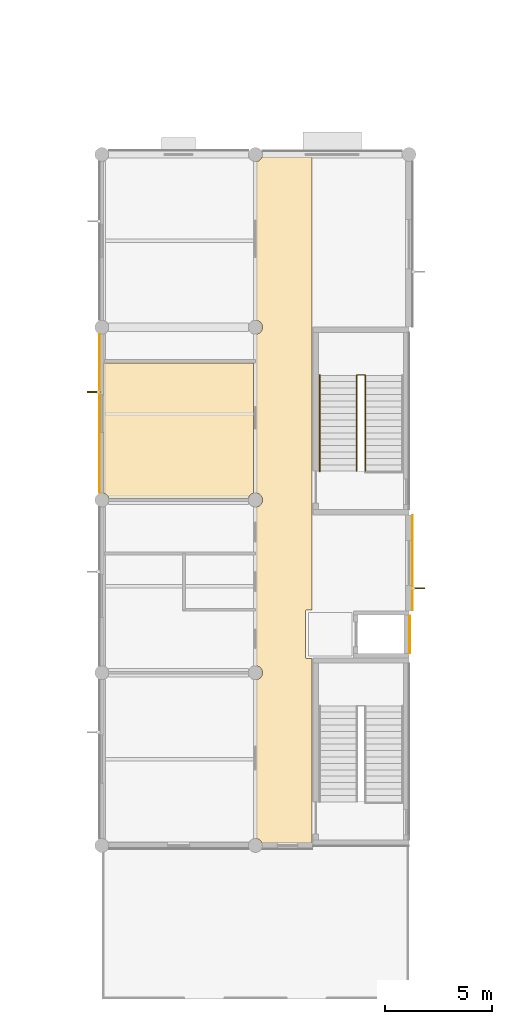
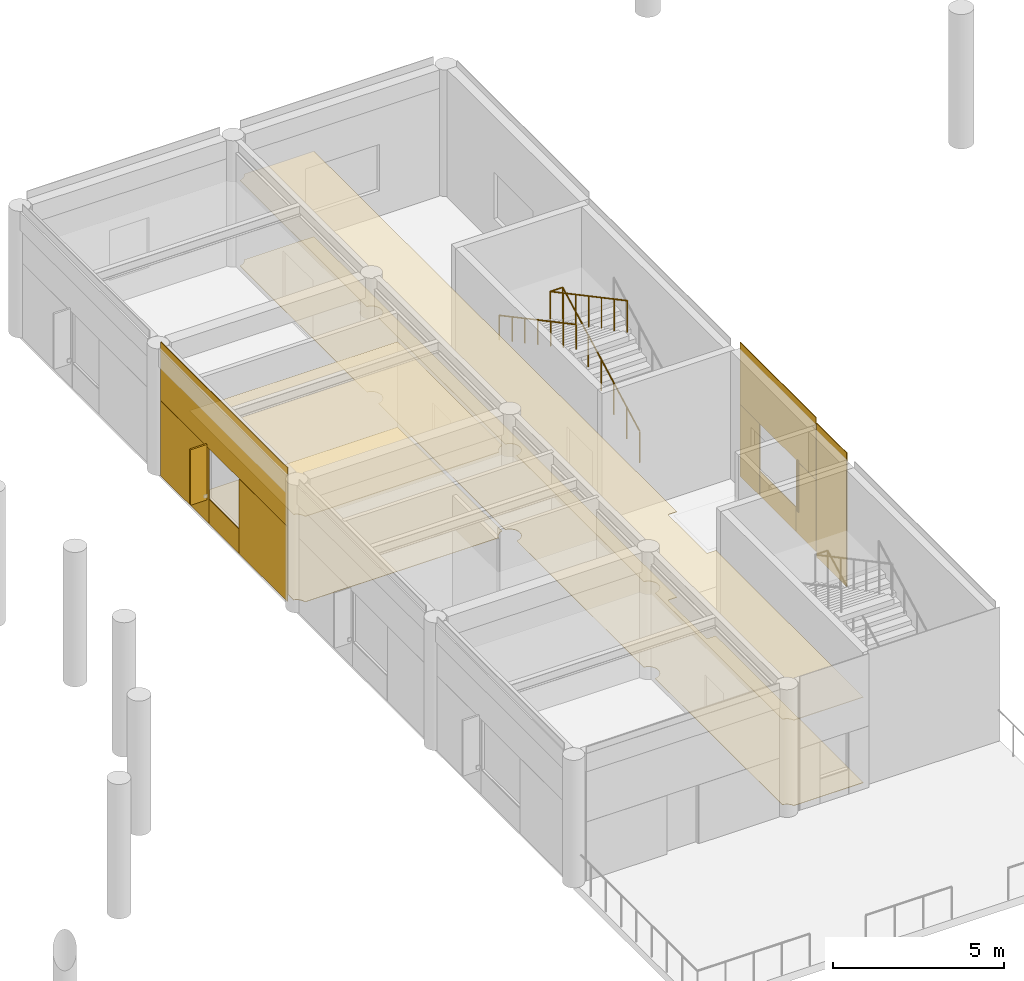
# One storey, part 90 of 92: 13 coverings, 2 railings, 2 shading devices.
"""IFC4 building model written with IfcOpenShell, lengths in metres."""

from ifc_helpers import new_model, si_unit, direction, frame, origin, origin_2d, place, context, subcontext, project, spatial, polyline, rectangle, circle, outline, extrude, material, layer, layer_set, type_object, element, save


model = new_model("IFC4")

# Units and contexts
model_context = context("Model", 3, precision=1e-05, world=origin(), true_north=direction((0.0, 1.0)))
body_context = subcontext(model_context, "Body", "Model", "MODEL_VIEW")
ifc_project = project(units=[si_unit("LENGTHUNIT", "METRE"), si_unit("AREAUNIT", "SQUARE_METRE"), si_unit("VOLUMEUNIT", "CUBIC_METRE"), si_unit("PLANEANGLEUNIT", "RADIAN"), si_unit("MASSUNIT", "GRAM", prefix="KILO")], contexts=[model_context])

# Site, building, storey
site_placement = place(None, origin())
site = spatial("IfcSite", under=ifc_project, at=site_placement, CompositionType="ELEMENT")
building_placement = place(site_placement, origin())
building = spatial("IfcBuilding", under=site, at=building_placement, Name="Namkhue Oval Health Centre", CompositionType="ELEMENT")
storey_placement = place(building_placement, frame((0.0, 0.0, 4.800048828125)))
storey = spatial("IfcBuildingStorey", under=building, at=storey_placement, Name="L01", CompositionType="ELEMENT", Elevation=4.800048828125)

# Coverings
ifc_material_1 = material(Name="Acoustic mineral-fibre cleanroom ceiling", Category="gypsum")
ifc_layer_1 = layer(ifc_material_1, 0.02001953125)
ifc_layer_set_1 = layer_set([ifc_layer_1], Name="Acoustic mineral-fibre cleanroom ceiling")
covering_type_1 = type_object("IfcCoveringType", Name="ACOUSTIC CLEANROOM CEILING 20", PredefinedType="CEILING", material=ifc_layer_set_1)
covering_1_placement = place(storey_placement, frame((0.0, 0.0, 3.050048828125)))
element("IfcCovering", 1, at=covering_1_placement, inside=storey, type_object=covering_type_1, Name="Acoustic Ceiling L01-V6-C1 V6 Clinical Corridor", PredefinedType="CEILING", context=body_context, shape_type="SweptSolid", body=[
    extrude(outline(polyline([(144.0400390625, 50.97021484375), (144.086669921875, 50.976318359375), (144.16748046875, 51.010009765625), (144.23681640625, 51.06298828125), (144.2900390625, 51.132568359375), (144.323486328125, 51.21337890625), (144.3349609375, 51.300048828125), (144.323486328125, 51.38671875), (144.2900390625, 51.467529296875), (144.23681640625, 51.536865234375), (144.16748046875, 51.590087890625), (144.086669921875, 51.62353515625), (144.0400390625, 51.629638671875), (144.0400390625, 59.0703125), (144.086669921875, 59.076416015625), (144.16748046875, 59.10986328125), (144.23681640625, 59.1630859375), (144.2900390625, 59.232421875), (144.323486328125, 59.313232421875), (144.3349609375, 59.39990234375), (144.323486328125, 59.48681640625), (144.2900390625, 59.5673828125), (144.23681640625, 59.636962890625), (144.16748046875, 59.690185546875), (144.086669921875, 59.7236328125), (144.0400390625, 59.729736328125), (144.0400390625, 67.17041015625), (144.086669921875, 67.176513671875), (144.16748046875, 67.2099609375), (144.23681640625, 67.26318359375), (144.2900390625, 67.33251953125), (144.323486328125, 67.413330078125), (144.3349609375, 67.5), (144.323486328125, 67.586669921875), (144.2900390625, 67.66748046875), (144.23681640625, 67.73681640625), (144.16748046875, 67.7900390625), (144.086669921875, 67.823486328125), (144.0400390625, 67.82958984375), (144.0400390625, 75.270263671875), (144.086669921875, 75.2763671875), (144.16748046875, 75.309814453125), (144.23681640625, 75.363037109375), (144.2900390625, 75.4326171875), (144.3076171875, 75.47509765625), (146.659912109375, 75.47509765625), (146.659912109375, 54.239990234375), (146.39599609375, 54.23974609375), (146.384765625, 54.237060546875), (146.37158203125, 54.228271484375), (146.363037109375, 54.21533203125), (146.360107421875, 54.199951171875), (146.360107421875, 51.99609375), (146.363037109375, 51.984619140625), (146.37158203125, 51.9716796875), (146.384765625, 51.962890625), (146.39599609375, 51.960205078125), (146.659912109375, 51.9599609375), (146.659912109375, 43.324951171875), (144.3076171875, 43.324951171875), (144.2900390625, 43.367431640625), (144.23681640625, 43.43701171875), (144.16748046875, 43.489990234375), (144.086669921875, 43.523681640625), (144.0400390625, 43.52978515625), (144.0400390625, 50.97021484375)])), origin(), (0.0, 0.0, 1.0), 0.02001953125),
])
covering_2_placement = place(storey_placement, frame((0.0, 0.0, 3.050048828125)))
element("IfcCovering", 2, at=covering_2_placement, inside=storey, type_object=covering_type_1, Name="Acoustic Ceiling L01-605 Speech Language Therapy Clinic", PredefinedType="CEILING", context=body_context, shape_type="SweptSolid", body=[
    extrude(outline(polyline([(137.125732421875, 59.469970703125), (137.12353515625, 59.48681640625), (137.090087890625, 59.5673828125), (137.036865234375, 59.636962890625), (136.967529296875, 59.690185546875), (136.885009765625, 59.723876953125), (136.885009765625, 65.833984375), (143.919921875, 65.833984375), (143.919921875, 59.724609375), (143.83251953125, 59.690185546875), (143.76318359375, 59.636962890625), (143.7099609375, 59.5673828125), (143.676513671875, 59.48681640625), (143.67431640625, 59.469970703125), (137.125732421875, 59.469970703125)])), origin(), (0.0, 0.0, 1.0), 0.02001953125),
])
ifc_material_2 = material(Name="Homogeneous anti-bacterial clinical vinyl flooring", Category="plastic")
ifc_layer_2 = layer(ifc_material_2, 0.014892578125)
ifc_layer_set_2 = layer_set([ifc_layer_2], Name="Homogeneous anti-bacterial clinical vinyl flooring")
covering_type_2 = type_object("IfcCoveringType", Name="CLINICAL ANTIBACTERIAL VINYL FLOORING 15", PredefinedType="FLOORING", material=ifc_layer_set_2)
covering_3_placement = place(storey_placement, origin())
element("IfcCovering", 3, at=covering_3_placement, inside=storey, type_object=covering_type_2, Name="Clinical Flooring L01-V6-C1 V6 Clinical Corridor", PredefinedType="FLOORING", context=body_context, shape_type="SweptSolid", body=[
    extrude(outline(polyline([(144.0400390625, 50.97021484375), (144.086669921875, 50.976318359375), (144.16748046875, 51.010009765625), (144.23681640625, 51.06298828125), (144.2900390625, 51.132568359375), (144.323486328125, 51.21337890625), (144.3349609375, 51.300048828125), (144.323486328125, 51.38671875), (144.2900390625, 51.467529296875), (144.23681640625, 51.536865234375), (144.16748046875, 51.590087890625), (144.086669921875, 51.62353515625), (144.0400390625, 51.629638671875), (144.0400390625, 59.0703125), (144.086669921875, 59.076416015625), (144.16748046875, 59.10986328125), (144.23681640625, 59.1630859375), (144.2900390625, 59.232421875), (144.323486328125, 59.313232421875), (144.3349609375, 59.39990234375), (144.323486328125, 59.48681640625), (144.2900390625, 59.5673828125), (144.23681640625, 59.636962890625), (144.16748046875, 59.690185546875), (144.086669921875, 59.7236328125), (144.0400390625, 59.729736328125), (144.0400390625, 67.17041015625), (144.086669921875, 67.176513671875), (144.16748046875, 67.2099609375), (144.23681640625, 67.26318359375), (144.2900390625, 67.33251953125), (144.323486328125, 67.413330078125), (144.3349609375, 67.5), (144.323486328125, 67.586669921875), (144.2900390625, 67.66748046875), (144.23681640625, 67.73681640625), (144.16748046875, 67.7900390625), (144.086669921875, 67.823486328125), (144.0400390625, 67.82958984375), (144.0400390625, 75.270263671875), (144.086669921875, 75.2763671875), (144.16748046875, 75.309814453125), (144.23681640625, 75.363037109375), (144.2900390625, 75.4326171875), (144.3076171875, 75.47509765625), (146.659912109375, 75.47509765625), (146.659912109375, 54.239990234375), (146.39599609375, 54.23974609375), (146.384765625, 54.237060546875), (146.37158203125, 54.228271484375), (146.363037109375, 54.21533203125), (146.360107421875, 54.199951171875), (146.360107421875, 51.99609375), (146.363037109375, 51.984619140625), (146.37158203125, 51.9716796875), (146.384765625, 51.962890625), (146.39599609375, 51.960205078125), (146.659912109375, 51.9599609375), (146.659912109375, 43.324951171875), (144.3076171875, 43.324951171875), (144.2900390625, 43.367431640625), (144.23681640625, 43.43701171875), (144.16748046875, 43.489990234375), (144.086669921875, 43.523681640625), (144.0400390625, 43.52978515625), (144.0400390625, 50.97021484375)])), origin(), (0.0, 0.0, 1.0), 0.014892578125),
])
covering_4_placement = place(storey_placement, origin())
element("IfcCovering", 4, at=covering_4_placement, inside=storey, type_object=covering_type_2, Name="Clinical Flooring L01-605 Speech Language Therapy Clinic", PredefinedType="FLOORING", context=body_context, shape_type="SweptSolid", body=[
    extrude(outline(polyline([(137.125732421875, 59.469970703125), (137.12353515625, 59.48681640625), (137.090087890625, 59.5673828125), (137.036865234375, 59.636962890625), (136.967529296875, 59.690185546875), (136.885009765625, 59.723876953125), (136.885009765625, 65.833984375), (143.919921875, 65.833984375), (143.919921875, 59.724609375), (143.83251953125, 59.690185546875), (143.76318359375, 59.636962890625), (143.7099609375, 59.5673828125), (143.676513671875, 59.48681640625), (143.67431640625, 59.469970703125), (137.125732421875, 59.469970703125)])), origin(), (0.0, 0.0, 1.0), 0.014892578125),
])

# Railings
ifc_material_3 = material(Name="Brushed stainless steel 316L balustrade with laminated glass infill", Category="steel")
railing_type_1 = type_object("IfcRailingType", Name="INTERIOR BALUSTRADE GUARD 1150", PredefinedType="BALUSTRADE", material=ifc_material_3)
railing_1_placement = place(storey_placement, frame((149.159912109375, 60.75, 0.0)))
element("IfcRailing", 5, at=railing_1_placement, inside=storey, type_object=railing_type_1, Name="Stair ST-12 L01 Inner Well Guard", PredefinedType="BALUSTRADE", context=body_context, shape_type="SweptSolid", body=[
    extrude(circle(Radius=0.02392578125, at=origin_2d()), frame((0.0, 0.0, 1.1259765625), z_axis=(0.0, 0.882360891967, 0.470573327259), x_axis=(-1.0, 0.0, 0.0)), (0.0, 0.0, 1.0), 5.099853515625),
    extrude(circle(Radius=0.02392578125, at=origin_2d()), frame((0.0, 4.5, 3.52587890625), z_axis=(-1.0, 0.0, 0.0), x_axis=(0.0, -1.0, 0.0)), (0.0, 0.0, 1.0), 0.419921875),
    extrude(circle(Radius=0.02392578125, at=origin_2d()), frame((-0.419921875, 4.5, 3.52587890625), z_axis=(0.0, -0.882341014787, 0.470610596591), x_axis=(1.0, 0.0, 0.0)), (0.0, 0.0, 1.0), 5.10009765625),
    extrude(circle(Radius=0.02099609375, at=origin_2d()), origin(), (0.0, 0.0, 1.0), 1.101806640625),
    extrude(circle(Radius=0.02099609375, at=origin_2d()), frame((0.0, 0.75, 0.39990234375)), (0.0, 0.0, 1.0), 1.101806640625),
    extrude(circle(Radius=0.02099609375, at=origin_2d()), frame((0.0, 1.5, 0.800048828125)), (0.0, 0.0, 1.0), 1.101806640625),
    extrude(circle(Radius=0.02099609375, at=origin_2d()), frame((0.0, 2.25, 1.199951171875)), (0.0, 0.0, 1.0), 1.101806640625),
    extrude(circle(Radius=0.02099609375, at=origin_2d()), frame((0.0, 3.0, 1.599853515625)), (0.0, 0.0, 1.0), 1.101806640625),
    extrude(circle(Radius=0.02099609375, at=origin_2d()), frame((0.0, 3.75, 2.0)), (0.0, 0.0, 1.0), 1.101806640625),
    extrude(circle(Radius=0.02099609375, at=origin_2d()), frame((0.0, 4.5, 2.39990234375)), (0.0, 0.0, 1.0), 1.101806640625),
    extrude(circle(Radius=0.02099609375, at=origin_2d()), frame((-0.419921875, 4.5, 2.39990234375)), (0.0, 0.0, 1.0), 1.101806640625),
    extrude(circle(Radius=0.02099609375, at=origin_2d()), frame((-0.419921875, 3.75, 2.7998046875)), (0.0, 0.0, 1.0), 1.101806640625),
    extrude(circle(Radius=0.02099609375, at=origin_2d()), frame((-0.419921875, 3.0, 3.199951171875)), (0.0, 0.0, 1.0), 1.101806640625),
    extrude(circle(Radius=0.02099609375, at=origin_2d()), frame((-0.419921875, 2.25, 3.60009765625)), (0.0, 0.0, 1.0), 1.101806640625),
    extrude(circle(Radius=0.02099609375, at=origin_2d()), frame((-0.419921875, 1.5, 4.0)), (0.0, 0.0, 1.0), 1.101806640625),
    extrude(circle(Radius=0.02099609375, at=origin_2d()), frame((-0.419921875, 0.75, 4.39990234375)), (0.0, 0.0, 1.0), 1.101806640625),
    extrude(circle(Radius=0.02099609375, at=origin_2d()), frame((-0.419921875, 0.0, 4.800048828125)), (0.0, 0.0, 1.0), 1.101806640625),
])
ifc_material_4 = material(Name="Brushed stainless steel 304 tubular handrail", Category="steel")
railing_type_2 = type_object("IfcRailingType", Name="INTERIOR STAIR HANDRAIL 900", PredefinedType="HANDRAIL", material=ifc_material_4)
railing_2_placement = place(storey_placement, frame((147.02001953125, 65.25, 2.39990234375)))
element("IfcRailing", 6, at=railing_2_placement, inside=storey, type_object=railing_type_2, Name="Stair ST-12 L01 Flight 2 Handrail", PredefinedType="HANDRAIL", context=body_context, shape_type="SweptSolid", body=[
    extrude(circle(Radius=0.02392578125, at=origin_2d()), frame((0.0, 0.0, 0.8759765625), z_axis=(0.0, -0.882341014787, 0.470610596591), x_axis=(1.0, 0.0, 0.0)), (0.0, 0.0, 1.0), 5.10009765625),
    extrude(circle(Radius=0.02099609375, at=origin_2d()), origin(), (0.0, 0.0, 1.0), 0.851806640625),
    extrude(circle(Radius=0.02099609375, at=origin_2d()), frame((0.0, -0.75, 0.39990234375)), (0.0, 0.0, 1.0), 0.851806640625),
    extrude(circle(Radius=0.02099609375, at=origin_2d()), frame((0.0, -1.5, 0.800048828125)), (0.0, 0.0, 1.0), 0.851806640625),
    extrude(circle(Radius=0.02099609375, at=origin_2d()), frame((0.0, -2.25, 1.2001953125)), (0.0, 0.0, 1.0), 0.851806640625),
    extrude(circle(Radius=0.02099609375, at=origin_2d()), frame((0.0, -3.0, 1.60009765625)), (0.0, 0.0, 1.0), 0.851806640625),
    extrude(circle(Radius=0.02099609375, at=origin_2d()), frame((0.0, -3.75, 2.0)), (0.0, 0.0, 1.0), 0.851806640625),
    extrude(circle(Radius=0.02099609375, at=origin_2d()), frame((0.0, -4.5, 2.400146484375)), (0.0, 0.0, 1.0), 0.851806640625),
])

# Shading devices
ifc_material_5 = material(Name="Anodised aluminium EN AW-6063 T6", Category="aluminium")
shading_device_type = type_object("IfcShadingDeviceType", Name="VERTICAL SOLAR FIN 600", PredefinedType="USERDEFINED", material=ifc_material_5)
shading_device_1_placement = place(storey_placement, frame((151.6298828125, 55.260009765625, 0.7998046875), z_axis=(0.0, 0.0, 1.0), x_axis=(1.0, 0.0, 0.0)))
element("IfcShadingDevice", 7, at=shading_device_1_placement, inside=storey, type_object=shading_device_type, Name="Volume V6 L01 Window Solar Fin 304", ObjectType="SOLAR FIN", PredefinedType="USERDEFINED", context=body_context, shape_type="SweptSolid", body=[
    extrude(rectangle(XDim=0.60009765625, YDim=0.06005859375, at=origin_2d()), origin(), (0.0, 0.0, 1.0), 1.860107421875),
])
shading_device_2_placement = place(storey_placement, frame((136.425048828125, 64.465087890625, 0.800048828125), z_axis=(0.0, 0.0, 1.0), x_axis=(-1.0, 0.0, 0.0)))
element("IfcShadingDevice", 8, at=shading_device_2_placement, inside=storey, type_object=shading_device_type, Name="Volume V6 L01 Window Solar Fin 309", ObjectType="SOLAR FIN", PredefinedType="USERDEFINED", context=body_context, shape_type="SweptSolid", body=[
    extrude(rectangle(XDim=0.60009765625, YDim=0.06005859375, at=origin_2d()), origin(), (0.0, 0.0, 1.0), 1.97998046875),
])

# Coverings
ifc_material_6 = material(Name="White glass-fibre reinforced concrete GRC rainscreen cladding", Category="concrete")
ifc_layer_3 = layer(ifc_material_6, 0.02490234375)
ifc_layer_set_3 = layer_set([ifc_layer_3], Name="White glass-fibre reinforced concrete GRC rainscreen cladding")
covering_type_3 = type_object("IfcCoveringType", Name="WHITE GRC RAINSCREEN CLADDING 25", PredefinedType="CLADDING", material=ifc_layer_set_3)
covering_5_placement = place(storey_placement, frame((151.362060546875, 56.449951171875, 2.57470703125), z_axis=(0.0, 0.0, 1.0), x_axis=(0.0, 1.0, 0.0)))
element("IfcCovering", 9, at=covering_5_placement, inside=storey, type_object=covering_type_3, Name="Volume V6 L01 Facade 173 White GRC Cladding 1", PredefinedType="CLADDING", context=body_context, shape_type="SweptSolid", body=[
    extrude(rectangle(XDim=4.4560546875, YDim=0.02490234375, at=origin_2d()), origin(), (0.0, 0.0, 1.0), 2.215087890625),
])
covering_6_placement = place(storey_placement, frame((151.362060546875, 54.803466796875, 0.010009765625), z_axis=(0.0, 0.0, 1.0), x_axis=(0.0, 1.0, 0.0)))
element("IfcCovering", 10, at=covering_6_placement, inside=storey, type_object=covering_type_3, Name="Volume V6 L01 Facade 173 White GRC Cladding 2", PredefinedType="CLADDING", context=body_context, shape_type="SweptSolid", body=[
    extrude(rectangle(XDim=1.1630859375, YDim=0.02490234375, at=origin_2d()), origin(), (0.0, 0.0, 1.0), 2.56005859375),
])
covering_7_placement = place(storey_placement, frame((151.362060546875, 56.449951171875, 0.010009765625), z_axis=(0.0, 0.0, 1.0), x_axis=(0.0, 1.0, 0.0)))
element("IfcCovering", 11, at=covering_7_placement, inside=storey, type_object=covering_type_3, Name="Volume V6 L01 Facade 173 White GRC Cladding 3", PredefinedType="CLADDING", context=body_context, shape_type="SweptSolid", body=[
    extrude(rectangle(XDim=2.1201171875, YDim=0.02490234375, at=origin_2d()), origin(), (0.0, 0.0, 1.0), 0.875),
])
covering_8_placement = place(storey_placement, frame((151.362060546875, 58.096435546875, 0.010009765625), z_axis=(0.0, 0.0, 1.0), x_axis=(0.0, 1.0, 0.0)))
element("IfcCovering", 12, at=covering_8_placement, inside=storey, type_object=covering_type_3, Name="Volume V6 L01 Facade 173 White GRC Cladding 4", PredefinedType="CLADDING", context=body_context, shape_type="SweptSolid", body=[
    extrude(rectangle(XDim=1.1630859375, YDim=0.02490234375, at=origin_2d()), origin(), (0.0, 0.0, 1.0), 2.56005859375),
])
covering_9_placement = place(storey_placement, frame((136.693115234375, 63.449951171875, 2.69482421875), z_axis=(0.0, 0.0, 1.0), x_axis=(0.0, -1.0, 0.0)))
element("IfcCovering", 13, at=covering_9_placement, inside=storey, type_object=covering_type_3, Name="Volume V6 L01 Facade 178 White GRC Cladding 1", PredefinedType="CLADDING", context=body_context, shape_type="SweptSolid", body=[
    extrude(rectangle(XDim=7.419921875, YDim=0.02490234375, at=origin_2d()), origin(), (0.0, 0.0, 1.0), 2.094970703125),
])
covering_10_placement = place(storey_placement, frame((136.693115234375, 65.75, 0.009765625), z_axis=(0.0, 0.0, 1.0), x_axis=(0.0, -1.0, 0.0)))
element("IfcCovering", 14, at=covering_10_placement, inside=storey, type_object=covering_type_3, Name="Volume V6 L01 Facade 178 White GRC Cladding 2", PredefinedType="CLADDING", context=body_context, shape_type="SweptSolid", body=[
    extrude(rectangle(XDim=2.820068359375, YDim=0.02490234375, at=origin_2d()), origin(), (0.0, 0.0, 1.0), 2.679931640625),
])
covering_11_placement = place(storey_placement, frame((136.693115234375, 63.449951171875, 0.010009765625), z_axis=(0.0, 0.0, 1.0), x_axis=(0.0, -1.0, 0.0)))
element("IfcCovering", 15, at=covering_11_placement, inside=storey, type_object=covering_type_3, Name="Volume V6 L01 Facade 178 White GRC Cladding 3", PredefinedType="CLADDING", context=body_context, shape_type="SweptSolid", body=[
    extrude(rectangle(XDim=1.77001953125, YDim=0.02490234375, at=origin_2d()), origin(), (0.0, 0.0, 1.0), 0.875),
])
covering_12_placement = place(storey_placement, frame((136.693115234375, 61.14990234375, 0.009765625), z_axis=(0.0, 0.0, 1.0), x_axis=(0.0, -1.0, 0.0)))
element("IfcCovering", 16, at=covering_12_placement, inside=storey, type_object=covering_type_3, Name="Volume V6 L01 Facade 178 White GRC Cladding 4", PredefinedType="CLADDING", context=body_context, shape_type="SweptSolid", body=[
    extrude(rectangle(XDim=2.820068359375, YDim=0.02490234375, at=origin_2d()), origin(), (0.0, 0.0, 1.0), 2.679931640625),
])
covering_13_placement = place(storey_placement, frame((151.237060546875, 53.10009765625, 0.009765625), z_axis=(0.0, 0.0, 1.0), x_axis=(0.0, 1.0, 0.0)))
element("IfcCovering", 17, at=covering_13_placement, inside=storey, type_object=covering_type_3, Name="Lift LF-07 L01 E White GRC Cladding 1", PredefinedType="CLADDING", context=body_context, shape_type="SweptSolid", body=[
    extrude(rectangle(XDim=1.760009765625, YDim=0.02490234375, at=origin_2d()), origin(), (0.0, 0.0, 1.0), 4.780029296875),
])

save(model, "model.ifc")
